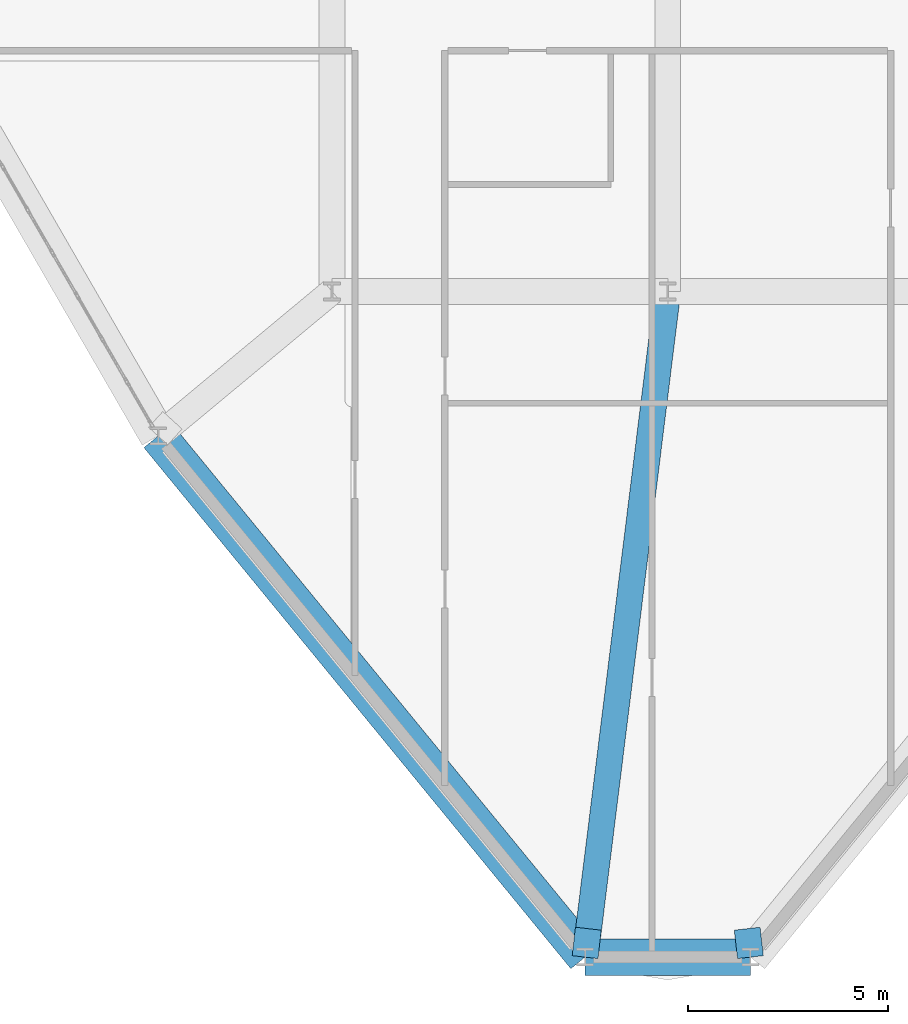
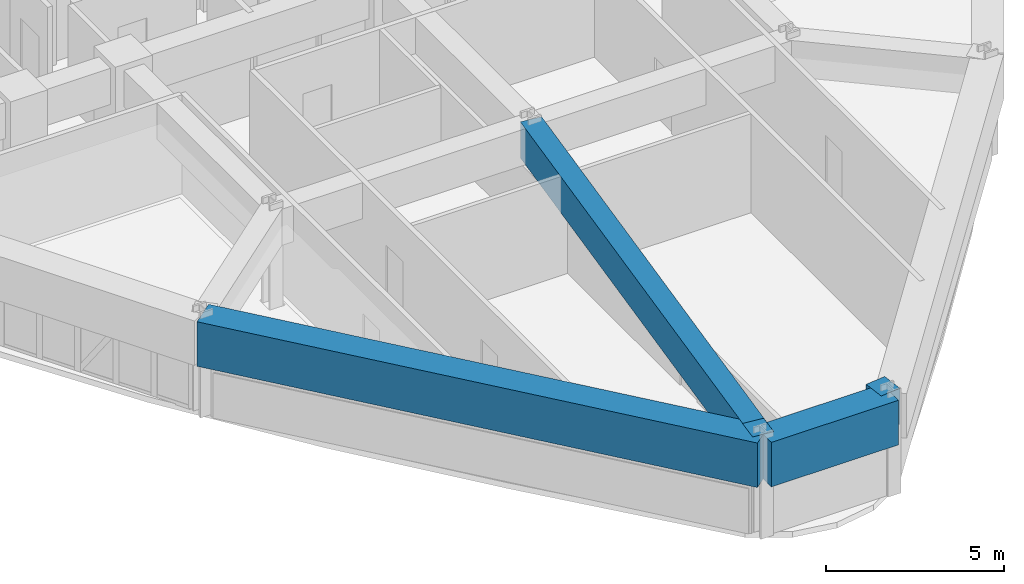
# One storey, part 3 of 16: 5 beams.
"""IFC4 building model written with IfcOpenShell, lengths in metres."""

from ifc_helpers import new_model, si_unit, derived_unit, direction, frame, origin, origin_2d, place, context, subcontext, project, spatial, rectangle, extrude, source, transform, mapped, material, material_profile, profile_set, type_object, element, save


model = new_model("IFC4")

# Units and contexts
model_context = context("Model", 3, precision=1e-05, world=origin(), true_north=direction((0.0, 1.0)))
body_context = subcontext(model_context, "Body", "Model", "MODEL_VIEW")
ifc_project = project(units=[si_unit("LENGTHUNIT", "METRE"), si_unit("AREAUNIT", "SQUARE_METRE"), si_unit("VOLUMEUNIT", "CUBIC_METRE"), si_unit("PLANEANGLEUNIT", "RADIAN"), si_unit("MASSUNIT", "GRAM", prefix="KILO"), derived_unit("THERMALTRANSMITTANCEUNIT", [(si_unit("POWERUNIT", "WATT"), 1), (si_unit("LENGTHUNIT", "METRE"), -2), (si_unit("THERMODYNAMICTEMPERATUREUNIT", "KELVIN"), -1)])], contexts=[model_context])

# Site, building, storey
site_placement = place(None, origin())
site = spatial("IfcSite", under=ifc_project, at=site_placement, CompositionType="ELEMENT")
building_placement = place(site_placement, origin())
building = spatial("IfcBuilding", under=site, at=building_placement, Name="Korsvarv Bourse and Concert Hall", CompositionType="ELEMENT")
storey_placement = place(building_placement, frame((0.0, 0.0, 106.199951171875)))
storey = spatial("IfcBuildingStorey", under=building, at=storey_placement, Name="L26", CompositionType="ELEMENT", Elevation=106.199951171875)

# Beams
ifc_material = material(Name="Concrete C50/60", Category="concrete")
ifc_material_profile_1 = material_profile(ifc_material, rectangle(XDim=0.919921875, YDim=1.530029296875, at=origin_2d()), Name="RC-BM 920x1530")
ifc_profile_set_1 = profile_set([ifc_material_profile_1], Name="Concrete C50/60")
beam_type_1 = type_object("IfcBeamType", Name="BM-TR-154", PredefinedType="BEAM", material=ifc_profile_set_1)
shared_shape_1 = source(origin(), body_context, "Body", "SweptSolid", [
    extrude(rectangle(XDim=0.919921875, YDim=1.530029296875, at=origin_2d()), origin(), (0.0, 0.0, 1.0), 16.8564453125),
])
beam_1_placement = place(storey_placement, frame((23.248779296875, 20.3828125, 2.635009765625), z_axis=(0.63375425105, -0.773534452546, 0.0), x_axis=(0.773534452546, 0.63375425105, 0.0)))
element("IfcBeam", 1, at=beam_1_placement, inside=storey, type_object=beam_type_1, Name="L26 beam B-TR6", PredefinedType="BEAM", context=body_context, shape_type="MappedRepresentation", body=[
    mapped(shared_shape_1, transform((0.0, 0.0, 0.0), scale=1.0)),
])
shared_shape_2 = source(origin(), body_context, "Body", "SweptSolid", [
    extrude(rectangle(XDim=0.919921875, YDim=1.530029296875, at=origin_2d()), origin(), (0.0, 0.0, 1.0), 4.13671875),
])
beam_2_placement = place(storey_placement, frame((33.931640625, 7.34375, 2.635009765625), z_axis=(1.0, 0.0, 0.0), x_axis=(0.0, 1.0, 0.0)))
element("IfcBeam", 2, at=beam_2_placement, inside=storey, type_object=beam_type_1, Name="L26 beam B-TR6", PredefinedType="BEAM", context=body_context, shape_type="MappedRepresentation", body=[
    mapped(shared_shape_2, transform((0.0, 0.0, 0.0), scale=1.0)),
])
ifc_material_profile_2 = material_profile(ifc_material, rectangle(XDim=0.64990234375, YDim=1.239990234375, at=origin_2d()), Name="RC-BM 650x1240")
ifc_profile_set_2 = profile_set([ifc_material_profile_2], Name="Concrete C50/60")
beam_type_2 = type_object("IfcBeamType", Name="BM-TR-SPN", PredefinedType="BEAM", material=ifc_profile_set_2)
shared_shape_3 = source(origin(), body_context, "Body", "SweptSolid", [
    extrude(rectangle(XDim=0.64990234375, YDim=1.239990234375, at=origin_2d()), origin(), (0.0, 0.0, 1.0), 16.7841796875),
])
beam_3_placement = place(storey_placement, frame((33.931640625, 7.34375, 2.780029296875), z_axis=(0.123232656878, 0.992377807228, 0.0), x_axis=(-0.992377807228, 0.123232656878, 0.0)))
element("IfcBeam", 3, at=beam_3_placement, inside=storey, type_object=beam_type_2, Name="L26 beam B-TRS", PredefinedType="BEAM", context=body_context, shape_type="MappedRepresentation", body=[
    mapped(shared_shape_3, transform((0.0, 0.0, 0.0), scale=1.0)),
])
shared_shape_4 = source(origin(), body_context, "Body", "SweptSolid", [
    extrude(rectangle(XDim=0.64990234375, YDim=1.239990234375, at=origin_2d()), origin(), (0.0, 0.0, 1.0), 0.7158203125),
])
for number, where, z_axis, x_axis, name in (
    (4, (33.931640625, 7.34375, 2.780029296875), (0.113238761151, 0.99356780492, 0.0), (-0.99356780492, 0.113238761151, 0.0), "L26 beam B-TRS"),
    (5, (38.068359375, 7.34375, 2.780029296875), (-0.113238761151, 0.99356780492, 0.0), (-0.99356780492, -0.113238761151, 0.0), "L26 beam B-TRS"),
):
    element("IfcBeam", number, at=place(storey_placement, frame(where, z_axis=z_axis, x_axis=x_axis)), inside=storey, type_object=beam_type_2, Name=name, PredefinedType="BEAM", context=body_context, shape_type="MappedRepresentation", body=[
        mapped(shared_shape_4, transform((0.0, 0.0, 0.0), scale=1.0)),
    ])

save(model, "model.ifc")
